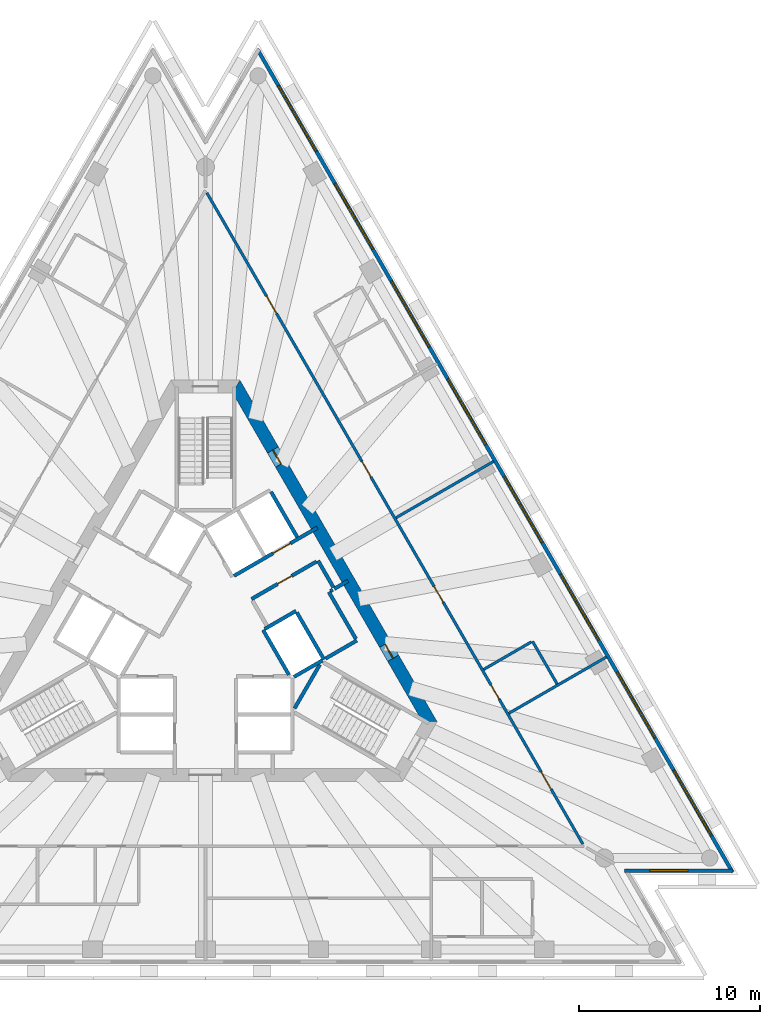
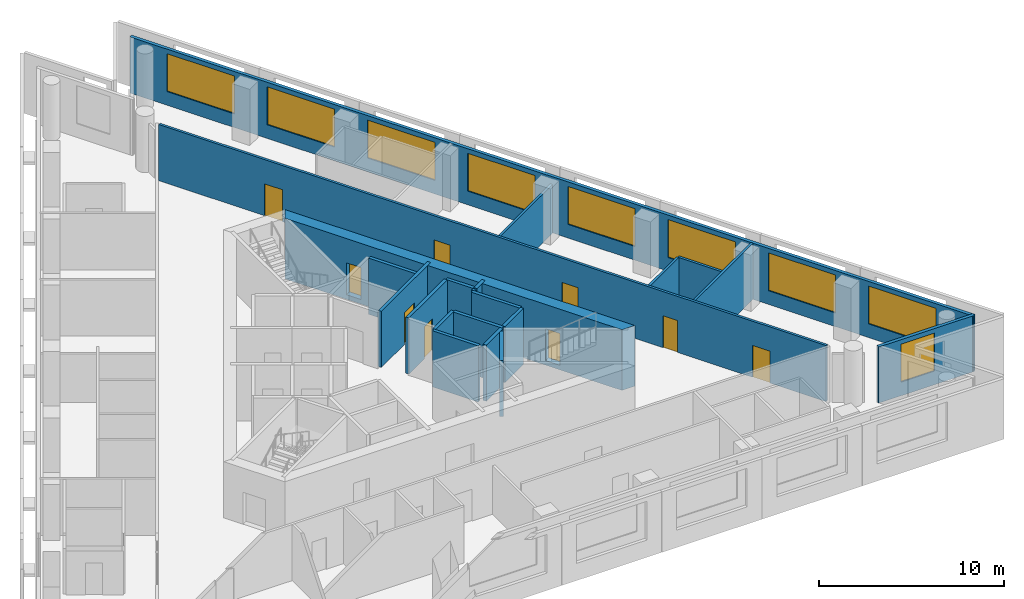
# One storey, part 6 of 10: 21 walls, 9 doors, 9 windows, 18 openings.
"""IFC4 building model written with IfcOpenShell, lengths in metres."""

from ifc_helpers import new_model, si_unit, direction, frame, frame_2d, origin, place, context, subcontext, project, spatial, polyline, rectangle, outline, extrude, material, layer, layer_set, layer_usage, type_object, element, fill, save


model = new_model("IFC4")

# Units and contexts
model_context = context("Model", 3, precision=1e-05, world=origin(), true_north=direction((0.0, 1.0)))
body_context = subcontext(model_context, "Body", "Model", "MODEL_VIEW")
ifc_project = project(units=[si_unit("LENGTHUNIT", "METRE"), si_unit("AREAUNIT", "SQUARE_METRE"), si_unit("VOLUMEUNIT", "CUBIC_METRE"), si_unit("PLANEANGLEUNIT", "RADIAN"), si_unit("MASSUNIT", "GRAM", prefix="KILO")], contexts=[model_context])

# Site, building, storey
site_placement = place(None, origin())
site = spatial("IfcSite", under=ifc_project, at=site_placement, CompositionType="ELEMENT")
building_placement = place(site_placement, origin())
building = spatial("IfcBuilding", under=site, at=building_placement, Name="Triada Interchange Tower", CompositionType="ELEMENT")
storey_placement = place(building_placement, frame((0.0, 0.0, 191.300048828125)))
storey = spatial("IfcBuildingStorey", under=building, at=storey_placement, Name="L44", CompositionType="ELEMENT", Elevation=191.300048828125)

# Wall
ifc_material_1 = material(Name="Concrete C30/37", Category="concrete")
ifc_layer_1 = layer(ifc_material_1, 0.199951171875)
ifc_layer_set_1 = layer_set([ifc_layer_1], Name="CORE WALL 200 EI 120")
wall_type_1 = type_object("IfcWallType", Name="CORE WALL 200 EI 120", PredefinedType="SOLIDWALL", material=ifc_layer_set_1)
wall_1_placement = place(storey_placement, frame((3.18994140625, -0.125, 0.0), z_axis=(0.0, 0.0, 1.0), x_axis=(0.499988658015, -0.866031951983, 0.0)))
element("IfcWall", 1, at=wall_1_placement, inside=storey, type_object=wall_type_1, Name="Wall L44 56", PredefinedType="SOLIDWALL", context=body_context, shape_type="SweptSolid", body=[
    extrude(rectangle(XDim=2.85791015625, YDim=0.199951171875, at=frame_2d((1.428955078125, 0.0))), origin(), (0.0, 0.0, 1.0), 3.699951171875),
])

# Wall, opening, door
wall_2_placement = place(storey_placement, frame((1.577880859375, 2.8740234375, 0.0), z_axis=(0.0, 0.0, 1.0), x_axis=(0.866045911672, 0.499964477614, 0.0)))
wall_2 = element("IfcWall", 2, at=wall_2_placement, inside=storey, type_object=wall_type_1, Name="Wall L44 57", PredefinedType="SOLIDWALL", context=body_context, shape_type="SweptSolid", body=[
    extrude(rectangle(XDim=5.32666015625, YDim=0.199951171875, at=frame_2d((2.663330078125, 0.0))), origin(), (0.0, 0.0, 1.0), 3.699951171875),
])
opening_1_placement = place(wall_2_placement, frame((2.49609375, 0.0, 0.0)))
opening_1 = element("IfcOpeningElement", 3, at=opening_1_placement, cuts=wall_2, Name="Opening LD-HR6", PredefinedType="OPENING", context=body_context, shape_type="SweptSolid", body=[
    extrude(rectangle(XDim=1.10009765625, YDim=2.10009765625, at=frame_2d((0.550048828125, 1.050048828125))), frame((0.0, 0.10986328125, 0.0), z_axis=(0.0, -1.0, 0.0), x_axis=(1.0, 0.0, 0.0)), (0.0, 0.0, 1.0), 0.219970703125),
])
ifc_material_2 = material(Name="Steel S235 door leaf", Category="steel")
door_type_1 = type_object("IfcDoorType", Name="LIFT LANDING DOOR 1100 EI 120", OperationType="SLIDING_TO_LEFT", PredefinedType="DOOR", material=ifc_material_2)
door_1_placement = place(opening_1_placement, origin())
door_1 = element("IfcDoor", 4, at=door_1_placement, inside=storey, type_object=door_type_1, Name="HR6 landing door L44", OperationType="SLIDING_TO_LEFT", OverallHeight=2.10009765625, OverallWidth=1.10009765625, PredefinedType="DOOR", context=body_context, shape_type="SweptSolid", body=[
    extrude(rectangle(XDim=1.10009765625, YDim=2.10009765625, at=frame_2d((0.550048828125, 1.050048828125))), frame((0.0, 0.02490234375, 0.0), z_axis=(0.0, -1.0, 0.0), x_axis=(1.0, 0.0, 0.0)), (0.0, 0.0, 1.0), 0.050048828125),
])
fill(opening_1, door_1)

# Walls
wall_3_placement = place(storey_placement, frame((3.278076171875, -0.071044921875, 0.0), z_axis=(0.0, 0.0, 1.0), x_axis=(0.865855657918, 0.500293893279, 0.0)))
element("IfcWall", 5, at=wall_3_placement, inside=storey, type_object=wall_type_1, Name="Wall L44 60", PredefinedType="SOLIDWALL", context=body_context, shape_type="SweptSolid", body=[
    extrude(rectangle(XDim=1.996826171875, YDim=0.199951171875, at=frame_2d((0.99853515625, 0.0))), origin(), (0.0, 0.0, 1.0), 3.699951171875),
])
wall_4_placement = place(storey_placement, frame((7.12890625, 2.153076171875, 0.0), z_axis=(0.0, 0.0, 1.0), x_axis=(0.866083962871, 0.499898558967, 0.0)))
element("IfcWall", 6, at=wall_4_placement, inside=storey, type_object=wall_type_1, Name="Wall L44 61", PredefinedType="SOLIDWALL", context=body_context, shape_type="SweptSolid", body=[
    extrude(rectangle(XDim=0.880126953125, YDim=0.199951171875, at=frame_2d((0.43994140625, 0.0))), origin(), (0.0, 0.0, 1.0), 3.699951171875),
])
wall_5_placement = place(storey_placement, frame((3.6259765625, 7.52001953125, 0.0), z_axis=(0.0, 0.0, 1.0), x_axis=(0.500060147554, -0.865990674793, 0.0)))
element("IfcWall", 7, at=wall_5_placement, inside=storey, type_object=wall_type_1, Name="Wall L44 62", PredefinedType="SOLIDWALL", context=body_context, shape_type="SweptSolid", body=[
    extrude(rectangle(XDim=2.899658203125, YDim=0.199951171875, at=frame_2d((1.44970703125, 0.0))), origin(), (0.0, 0.0, 1.0), 3.699951171875),
])
wall_6_placement = place(storey_placement, frame((5.056884765625, 0.841064453125, 0.0), z_axis=(0.0, 0.0, 1.0), x_axis=(0.499990139034, -0.866031096941, 0.0)))
element("IfcWall", 8, at=wall_6_placement, inside=storey, type_object=wall_type_1, Name="Wall L44 64", PredefinedType="SOLIDWALL", context=body_context, shape_type="SweptSolid", body=[
    extrude(rectangle(XDim=3.0, YDim=0.199951171875, at=frame_2d((1.5, 0.0))), origin(), (0.0, 0.0, 1.0), 3.699951171875),
])
wall_7_placement = place(storey_placement, frame((4.89990234375, -2.714111328125, 0.0), z_axis=(0.0, 0.0, 1.0), x_axis=(0.865846928409, 0.500309001083, 0.0)))
element("IfcWall", 9, at=wall_7_placement, inside=storey, type_object=wall_type_1, Name="Wall L44 65", PredefinedType="SOLIDWALL", context=body_context, shape_type="SweptSolid", body=[
    extrude(rectangle(XDim=1.813232421875, YDim=0.199951171875, at=frame_2d((0.90673828125, 0.0))), origin(), (0.0, 0.0, 1.0), 3.699951171875),
])
wall_8_placement = place(storey_placement, frame((6.22900390625, 3.7119140625, 0.0), z_axis=(0.0, 0.0, 1.0), x_axis=(0.499875724984, -0.86609714211, 0.0)))
element("IfcWall", 10, at=wall_8_placement, inside=storey, type_object=wall_type_1, Name="Wall L44 66", PredefinedType="SOLIDWALL", context=body_context, shape_type="SweptSolid", body=[
    extrude(rectangle(XDim=1.70068359375, YDim=0.199951171875, at=frame_2d((0.850341796875, 0.0))), origin(), (0.0, 0.0, 1.0), 3.699951171875),
])

# Wall, opening, door
wall_9_placement = place(storey_placement, frame((2.548095703125, 1.5869140625, 0.0), z_axis=(0.0, 0.0, 1.0), x_axis=(0.866004344652, 0.500036473714, 0.0)))
wall_9 = element("IfcWall", 11, at=wall_9_placement, inside=storey, type_object=wall_type_1, Name="Wall L44 67", PredefinedType="SOLIDWALL", context=body_context, shape_type="SweptSolid", body=[
    extrude(rectangle(XDim=4.150146484375, YDim=0.199951171875, at=frame_2d((2.0751953125, 0.0))), origin(), (0.0, 0.0, 1.0), 3.699951171875),
])
opening_2_placement = place(wall_9_placement, frame((1.675048828125, 0.0, 0.0)))
opening_2 = element("IfcOpeningElement", 12, at=opening_2_placement, cuts=wall_9, Name="Opening D44-47", PredefinedType="OPENING", context=body_context, shape_type="SweptSolid", body=[
    extrude(rectangle(XDim=0.89990234375, YDim=2.10009765625, at=frame_2d((0.449951171875, 1.050048828125))), frame((0.0, 0.10986328125, 0.0), z_axis=(0.0, -1.0, 0.0), x_axis=(1.0, 0.0, 0.0)), (0.0, 0.0, 1.0), 0.219970703125),
])
door_type_2 = type_object("IfcDoorType", Name="SERVICE DOOR 900 EI2 45-C5S200", OperationType="NOTDEFINED", PredefinedType="DOOR", material=ifc_material_2)
door_2_placement = place(opening_2_placement, origin())
door_2 = element("IfcDoor", 13, at=door_2_placement, inside=storey, type_object=door_type_2, Name="Door D44-47 L44", OperationType="SINGLE_SWING_RIGHT", OverallHeight=2.10009765625, OverallWidth=0.89990234375, PredefinedType="DOOR", context=body_context, shape_type="SweptSolid", body=[
    extrude(rectangle(XDim=0.89990234375, YDim=2.10009765625, at=frame_2d((0.449951171875, 1.050048828125))), frame((0.0, 0.02490234375, 0.0), z_axis=(0.0, -1.0, 0.0), x_axis=(1.0, 0.0, 0.0)), (0.0, 0.0, 1.0), 0.050048828125),
])
fill(opening_2, door_2)

# Walls
ifc_layer_2 = layer(ifc_material_1, 0.199951171875)
ifc_layer_set_2 = layer_set([ifc_layer_2], Name="CORE WALL 200 EI 90")
wall_type_2 = type_object("IfcWallType", Name="CORE WALL 200 EI 90", PredefinedType="SOLIDWALL", material=ifc_layer_set_2)
wall_10_placement = place(storey_placement, frame((6.64208984375, -1.7080078125, 0.0), z_axis=(0.0, 0.0, 1.0), x_axis=(0.866043441391, 0.499968756647, 0.0)))
element("IfcWall", 14, at=wall_10_placement, inside=storey, type_object=wall_type_2, Name="Wall L44 85", PredefinedType="SOLIDWALL", context=body_context, shape_type="SweptSolid", body=[
    extrude(rectangle(XDim=2.002197265625, YDim=0.199951171875, at=frame_2d((1.0009765625, 0.0))), origin(), (0.0, 0.0, 1.0), 3.699951171875),
])
wall_11_placement = place(storey_placement, frame((6.825927734375, 1.97802734375, 0.0), z_axis=(0.0, 0.0, 1.0), x_axis=(0.499990139034, -0.866031096941, 0.0)))
element("IfcWall", 15, at=wall_11_placement, inside=storey, type_object=wall_type_2, Name="Wall L44 86", PredefinedType="SOLIDWALL", context=body_context, shape_type="SweptSolid", body=[
    extrude(rectangle(XDim=3.0, YDim=0.199951171875, at=frame_2d((1.5, 0.0))), origin(), (0.0, 0.0, 1.0), 3.699951171875),
])
wall_12_placement = place(storey_placement, frame((6.912109375, 2.028076171875, 0.0), z_axis=(0.0, 0.0, 1.0), x_axis=(0.866559367082, 0.499074005857, 0.0)))
element("IfcWall", 16, at=wall_12_placement, inside=storey, type_object=wall_type_2, Name="Wall L44 87", PredefinedType="SOLIDWALL", context=body_context, shape_type="SweptSolid", body=[
    extrude(rectangle(XDim=0.152099609375, YDim=0.199951171875, at=frame_2d((0.076171875, 0.0))), origin(), (0.0, 0.0, 1.0), 3.699951171875),
])
ifc_layer_3 = layer(ifc_material_1, 0.199951171875)
ifc_layer_set_3 = layer_set([ifc_layer_3], Name="CORE WALL 200 REI 240")
wall_type_3 = type_object("IfcWallType", Name="CORE WALL 200 REI 240", PredefinedType="SOLIDWALL", material=ifc_layer_set_3)
wall_13_placement = place(storey_placement, frame((4.928955078125, -4.4619140625, 0.0), z_axis=(0.0, 0.0, 1.0), x_axis=(0.500200581029, 0.865909567298, 0.0)))
element("IfcWall", 17, at=wall_13_placement, inside=storey, type_object=wall_type_3, Name="Wall L44 95", PredefinedType="SOLIDWALL", context=body_context, shape_type="SweptSolid", body=[
    extrude(rectangle(XDim=2.799072265625, YDim=0.199951171875, at=frame_2d((1.3994140625, 0.0))), origin(), (0.0, 0.0, 1.0), 3.699951171875),
])

# Wall, openings, doors
ifc_material_3 = material(Name="Concrete C50/60", Category="concrete")
ifc_layer_4 = layer(ifc_material_3, 0.699951171875)
ifc_layer_set_4 = layer_set([ifc_layer_4], Name="Core wall C 700")
wall_type_4 = type_object("IfcWallType", Name="Core wall C 700", PredefinedType="SHEAR", material=ifc_layer_set_4)
wall_14_placement = place(storey_placement, frame((12.4130859375, -5.199951171875, -0.300048828125), z_axis=(0.0, 0.0, 1.0), x_axis=(-0.500011533395, 0.866018744874, 0.0)))
wall_14 = element("IfcWall", 18, at=wall_14_placement, inside=storey, type_object=wall_type_4, Name="Core wall WC06 L44", PredefinedType="SHEAR", context=body_context, shape_type="SweptSolid", body=[
    extrude(outline(polyline([(-0.201904296875, -0.35009765625), (1.781982421875, -0.35009765625), (3.76611328125, -0.35009765625), (5.75, -0.35009765625), (7.734130859375, -0.35009765625), (9.718017578125, -0.35009765625), (11.7021484375, -0.35009765625), (13.68603515625, -0.35009765625), (15.670166015625, -0.35009765625), (17.654052734375, -0.35009765625), (19.63818359375, -0.35009765625), (21.6220703125, -0.35009765625), (21.218017578125, 0.35009765625), (19.307373046875, 0.35009765625), (17.39697265625, 0.35009765625), (15.486328125, 0.35009765625), (13.57568359375, 0.35009765625), (11.665283203125, 0.35009765625), (9.754638671875, 0.35009765625), (7.84423828125, 0.35009765625), (5.93359375, 0.35009765625), (4.02294921875, 0.35009765625), (2.112548828125, 0.35009765625), (0.201904296875, 0.35009765625), (-0.201904296875, -0.35009765625)])), origin(), (0.0, 0.0, 1.0), 4.0),
])
opening_3_placement = place(wall_14_placement, frame((4.054931640625, 0.0, 0.300048828125)))
opening_3 = element("IfcOpeningElement", 19, at=opening_3_placement, cuts=wall_14, Name="Opening D44-45", PredefinedType="OPENING", context=body_context, shape_type="SweptSolid", body=[
    extrude(rectangle(XDim=0.89990234375, YDim=2.10009765625, at=frame_2d((0.449951171875, 1.050048828125))), frame((0.0, 0.360107421875, 0.0), z_axis=(0.0, -1.0, 0.0), x_axis=(1.0, 0.0, 0.0)), (0.0, 0.0, 1.0), 0.72021484375),
])
opening_4_placement = place(wall_14_placement, frame((16.465087890625, 0.0, 0.300048828125)))
opening_4 = element("IfcOpeningElement", 20, at=opening_4_placement, cuts=wall_14, Name="Opening D44-46", PredefinedType="OPENING", context=body_context, shape_type="SweptSolid", body=[
    extrude(rectangle(XDim=0.89990234375, YDim=2.10009765625, at=frame_2d((0.449951171875, 1.050048828125))), frame((0.0, 0.360107421875, 0.0), z_axis=(0.0, -1.0, 0.0), x_axis=(1.0, 0.0, 0.0)), (0.0, 0.0, 1.0), 0.72021484375),
])
door_type_3 = type_object("IfcDoorType", Name="RISER ACCESS DOOR 900 EI2 45-C5S200", OperationType="NOTDEFINED", PredefinedType="DOOR", material=ifc_material_2)
door_3_placement = place(opening_4_placement, origin())
door_3 = element("IfcDoor", 21, at=door_3_placement, inside=storey, type_object=door_type_3, Name="Door D44-46 L44", OperationType="SINGLE_SWING_RIGHT", OverallHeight=2.10009765625, OverallWidth=0.89990234375, PredefinedType="DOOR", context=body_context, shape_type="SweptSolid", body=[
    extrude(rectangle(XDim=0.89990234375, YDim=2.10009765625, at=frame_2d((0.449951171875, 1.050048828125))), frame((0.0, 0.02490234375, 0.0), z_axis=(0.0, -1.0, 0.0), x_axis=(1.0, 0.0, 0.0)), (0.0, 0.0, 1.0), 0.050048828125),
])
fill(opening_4, door_3)
door_4_placement = place(opening_3_placement, origin())
door_4 = element("IfcDoor", 22, at=door_4_placement, inside=storey, type_object=door_type_2, Name="Door D44-45 L44", OperationType="SINGLE_SWING_RIGHT", OverallHeight=2.10009765625, OverallWidth=0.89990234375, PredefinedType="DOOR", context=body_context, shape_type="SweptSolid", body=[
    extrude(rectangle(XDim=0.89990234375, YDim=2.10009765625, at=frame_2d((0.449951171875, 1.050048828125))), frame((0.0, 0.02490234375, 0.0), z_axis=(0.0, -1.0, 0.0), x_axis=(1.0, 0.0, 0.0)), (0.0, 0.0, 1.0), 0.050048828125),
])
fill(opening_3, door_4)

# Wall, opening, window
ifc_material_4 = material(Name="Cement board")
ifc_layer_5 = layer(ifc_material_4, 0.02001953125, Name="Cement board cladding")
ifc_material_5 = material(Name="Sheathing board")
ifc_layer_6 = layer(ifc_material_5, 0.014892578125, Name="Sheathing board")
ifc_material_6 = material(Name="Mineral wool")
ifc_layer_7 = layer(ifc_material_6, 0.14990234375, Name="Mineral wool between steel studs")
ifc_material_7 = material(Name="Gypsum board")
ifc_layer_8 = layer(ifc_material_7, 0.014892578125, Name="Plasterboard lining")
ifc_layer_set_5 = layer_set([ifc_layer_5, ifc_layer_6, ifc_layer_7, ifc_layer_8], Name="External wall 200")
ifc_layer_usage = layer_usage(ifc_layer_set_5, "AXIS2", "POSITIVE", -0.10009765625)
wall_type_5 = type_object("IfcWallType", Name="External wall 200", PredefinedType="ELEMENTEDWALL", material=ifc_layer_set_5)
wall_15_placement = place(storey_placement, frame((23.201904296875, -13.447021484375, 0.0), z_axis=(0.0, 0.0, 1.0), x_axis=(1.0, 0.0, 0.0)))
wall_15 = element("IfcWall", 23, at=wall_15_placement, inside=storey, type_object=wall_type_5, material=ifc_layer_usage, Name="External wall L44 SE-2", PredefinedType="ELEMENTEDWALL", context=body_context, shape_type="SweptSolid", body=[
    extrude(rectangle(XDim=5.988037109375, YDim=0.199951171875, at=frame_2d((2.994140625, 0.0))), origin(), (0.0, 0.0, 1.0), 3.699951171875),
])
opening_5_placement = place(wall_15_placement, frame((1.389892578125, 0.0, 0.89990234375)))
opening_5 = element("IfcOpeningElement", 24, at=opening_5_placement, cuts=wall_15, Name="Opening WC20", PredefinedType="OPENING", context=body_context, shape_type="SweptSolid", body=[
    extrude(rectangle(XDim=2.10009765625, YDim=2.5, at=frame_2d((1.050048828125, 1.25))), frame((0.0, 0.10986328125, 0.0), z_axis=(0.0, -1.0, 0.0), x_axis=(1.0, 0.0, 0.0)), (0.0, 0.0, 1.0), 0.219970703125),
])
ifc_material_8 = material(Name="Double glazed aluminium window", Category="aluminium")
window_type_1 = type_object("IfcWindowType", Name="Ribbon window C pocket", PartitioningType="SINGLE_PANEL", PredefinedType="WINDOW", material=ifc_material_8)
window_1_placement = place(opening_5_placement, origin())
window_1 = element("IfcWindow", 25, at=window_1_placement, inside=storey, type_object=window_type_1, Name="Window L44 SE-2 1", OverallHeight=2.5, OverallWidth=2.10009765625, PartitioningType="SINGLE_PANEL", PredefinedType="WINDOW", context=body_context, shape_type="SweptSolid", body=[
    extrude(rectangle(XDim=2.10009765625, YDim=2.5, at=frame_2d((1.050048828125, 1.25))), frame((0.0, 0.030029296875, 0.0), z_axis=(0.0, -1.0, 0.0), x_axis=(1.0, 0.0, 0.0)), (0.0, 0.0, 1.0), 0.06005859375),
])
fill(opening_5, window_1)

# Wall, openings, windows
wall_16_placement = place(storey_placement, frame((29.1650390625, -13.52490234375, 0.0), z_axis=(0.0, 0.0, 1.0), x_axis=(-0.500008941164, 0.86602024154, 0.0)))
wall_16 = element("IfcWall", 26, at=wall_16_placement, inside=storey, type_object=wall_type_5, material=ifc_layer_usage, Name="External wall L44 NE", PredefinedType="ELEMENTEDWALL", context=body_context, shape_type="SweptSolid", body=[
    extrude(rectangle(XDim=52.5712890625, YDim=0.199951171875, at=frame_2d((26.28564453125, 0.0))), origin(), (0.0, 0.0, 1.0), 3.699951171875),
])
opening_6_placement = place(wall_16_placement, frame((2.326904296875, 0.0, 0.89990234375)))
opening_6 = element("IfcOpeningElement", 27, at=opening_6_placement, cuts=wall_16, Name="Opening WC21", PredefinedType="OPENING", context=body_context, shape_type="SweptSolid", body=[
    extrude(rectangle(XDim=4.199951171875, YDim=2.5, at=frame_2d((2.10009765625, 1.25))), frame((0.0, 0.10986328125, 0.0), z_axis=(0.0, -1.0, 0.0), x_axis=(1.0, 0.0, 0.0)), (0.0, 0.0, 1.0), 0.219970703125),
])
opening_7_placement = place(wall_16_placement, frame((8.574951171875, 0.0, 0.89990234375)))
opening_7 = element("IfcOpeningElement", 28, at=opening_7_placement, cuts=wall_16, Name="Opening WC22", PredefinedType="OPENING", context=body_context, shape_type="SweptSolid", body=[
    extrude(rectangle(XDim=4.199951171875, YDim=2.5, at=frame_2d((2.10009765625, 1.25))), frame((0.0, 0.10986328125, 0.0), z_axis=(0.0, -1.0, 0.0), x_axis=(1.0, 0.0, 0.0)), (0.0, 0.0, 1.0), 0.219970703125),
])
opening_8_placement = place(wall_16_placement, frame((14.822998046875, 0.0, 0.89990234375)))
opening_8 = element("IfcOpeningElement", 29, at=opening_8_placement, cuts=wall_16, Name="Opening WC23", PredefinedType="OPENING", context=body_context, shape_type="SweptSolid", body=[
    extrude(rectangle(XDim=4.199951171875, YDim=2.5, at=frame_2d((2.10009765625, 1.25))), frame((0.0, 0.10986328125, 0.0), z_axis=(0.0, -1.0, 0.0), x_axis=(1.0, 0.0, 0.0)), (0.0, 0.0, 1.0), 0.219970703125),
])
opening_9_placement = place(wall_16_placement, frame((21.072021484375, 0.0, 0.89990234375)))
opening_9 = element("IfcOpeningElement", 30, at=opening_9_placement, cuts=wall_16, Name="Opening WC24", PredefinedType="OPENING", context=body_context, shape_type="SweptSolid", body=[
    extrude(rectangle(XDim=4.199951171875, YDim=2.5, at=frame_2d((2.10009765625, 1.25))), frame((0.0, 0.10986328125, 0.0), z_axis=(0.0, -1.0, 0.0), x_axis=(1.0, 0.0, 0.0)), (0.0, 0.0, 1.0), 0.219970703125),
])
opening_10_placement = place(wall_16_placement, frame((27.320068359375, 0.0, 0.89990234375)))
opening_10 = element("IfcOpeningElement", 31, at=opening_10_placement, cuts=wall_16, Name="Opening WC25", PredefinedType="OPENING", context=body_context, shape_type="SweptSolid", body=[
    extrude(rectangle(XDim=4.199951171875, YDim=2.5, at=frame_2d((2.10009765625, 1.25))), frame((0.0, 0.10986328125, 0.0), z_axis=(0.0, -1.0, 0.0), x_axis=(1.0, 0.0, 0.0)), (0.0, 0.0, 1.0), 0.219970703125),
])
opening_11_placement = place(wall_16_placement, frame((33.568115234375, 0.0, 0.89990234375)))
opening_11 = element("IfcOpeningElement", 32, at=opening_11_placement, cuts=wall_16, Name="Opening WC26", PredefinedType="OPENING", context=body_context, shape_type="SweptSolid", body=[
    extrude(rectangle(XDim=4.199951171875, YDim=2.5, at=frame_2d((2.10009765625, 1.25))), frame((0.0, 0.10986328125, 0.0), z_axis=(0.0, -1.0, 0.0), x_axis=(1.0, 0.0, 0.0)), (0.0, 0.0, 1.0), 0.219970703125),
])
opening_12_placement = place(wall_16_placement, frame((39.81591796875, 0.0, 0.89990234375)))
opening_12 = element("IfcOpeningElement", 33, at=opening_12_placement, cuts=wall_16, Name="Opening WC27", PredefinedType="OPENING", context=body_context, shape_type="SweptSolid", body=[
    extrude(rectangle(XDim=4.199951171875, YDim=2.5, at=frame_2d((2.10009765625, 1.25))), frame((0.0, 0.10986328125, 0.0), z_axis=(0.0, -1.0, 0.0), x_axis=(1.0, 0.0, 0.0)), (0.0, 0.0, 1.0), 0.219970703125),
])
opening_13_placement = place(wall_16_placement, frame((46.06396484375, 0.0, 0.89990234375)))
opening_13 = element("IfcOpeningElement", 34, at=opening_13_placement, cuts=wall_16, Name="Opening WC28", PredefinedType="OPENING", context=body_context, shape_type="SweptSolid", body=[
    extrude(rectangle(XDim=4.199951171875, YDim=2.5, at=frame_2d((2.10009765625, 1.25))), frame((0.0, 0.10986328125, 0.0), z_axis=(0.0, -1.0, 0.0), x_axis=(1.0, 0.0, 0.0)), (0.0, 0.0, 1.0), 0.219970703125),
])
window_type_2 = type_object("IfcWindowType", Name="Ribbon window C face", PartitioningType="SINGLE_PANEL", PredefinedType="WINDOW", material=ifc_material_8)
window_2_placement = place(opening_6_placement, origin())
window_2 = element("IfcWindow", 35, at=window_2_placement, inside=storey, type_object=window_type_2, Name="Window L44 NE 1", OverallHeight=2.5, OverallWidth=4.199951171875, PartitioningType="SINGLE_PANEL", PredefinedType="WINDOW", context=body_context, shape_type="SweptSolid", body=[
    extrude(rectangle(XDim=4.199951171875, YDim=2.5, at=frame_2d((2.10009765625, 1.25))), frame((0.0, 0.030029296875, 0.0), z_axis=(0.0, -1.0, 0.0), x_axis=(1.0, 0.0, 0.0)), (0.0, 0.0, 1.0), 0.06005859375),
])
fill(opening_6, window_2)
window_3_placement = place(opening_7_placement, origin())
window_3 = element("IfcWindow", 36, at=window_3_placement, inside=storey, type_object=window_type_2, Name="Window L44 NE 2", OverallHeight=2.5, OverallWidth=4.199951171875, PartitioningType="SINGLE_PANEL", PredefinedType="WINDOW", context=body_context, shape_type="SweptSolid", body=[
    extrude(rectangle(XDim=4.199951171875, YDim=2.5, at=frame_2d((2.10009765625, 1.25))), frame((0.0, 0.030029296875, 0.0), z_axis=(0.0, -1.0, 0.0), x_axis=(1.0, 0.0, 0.0)), (0.0, 0.0, 1.0), 0.06005859375),
])
fill(opening_7, window_3)
window_4_placement = place(opening_8_placement, origin())
window_4 = element("IfcWindow", 37, at=window_4_placement, inside=storey, type_object=window_type_2, Name="Window L44 NE 3", OverallHeight=2.5, OverallWidth=4.199951171875, PartitioningType="SINGLE_PANEL", PredefinedType="WINDOW", context=body_context, shape_type="SweptSolid", body=[
    extrude(rectangle(XDim=4.199951171875, YDim=2.5, at=frame_2d((2.10009765625, 1.25))), frame((0.0, 0.030029296875, 0.0), z_axis=(0.0, -1.0, 0.0), x_axis=(1.0, 0.0, 0.0)), (0.0, 0.0, 1.0), 0.06005859375),
])
fill(opening_8, window_4)
window_5_placement = place(opening_9_placement, origin())
window_5 = element("IfcWindow", 38, at=window_5_placement, inside=storey, type_object=window_type_2, Name="Window L44 NE 4", OverallHeight=2.5, OverallWidth=4.199951171875, PartitioningType="SINGLE_PANEL", PredefinedType="WINDOW", context=body_context, shape_type="SweptSolid", body=[
    extrude(rectangle(XDim=4.199951171875, YDim=2.5, at=frame_2d((2.10009765625, 1.25))), frame((0.0, 0.030029296875, 0.0), z_axis=(0.0, -1.0, 0.0), x_axis=(1.0, 0.0, 0.0)), (0.0, 0.0, 1.0), 0.06005859375),
])
fill(opening_9, window_5)
window_6_placement = place(opening_10_placement, origin())
window_6 = element("IfcWindow", 39, at=window_6_placement, inside=storey, type_object=window_type_2, Name="Window L44 NE 5", OverallHeight=2.5, OverallWidth=4.199951171875, PartitioningType="SINGLE_PANEL", PredefinedType="WINDOW", context=body_context, shape_type="SweptSolid", body=[
    extrude(rectangle(XDim=4.199951171875, YDim=2.5, at=frame_2d((2.10009765625, 1.25))), frame((0.0, 0.030029296875, 0.0), z_axis=(0.0, -1.0, 0.0), x_axis=(1.0, 0.0, 0.0)), (0.0, 0.0, 1.0), 0.06005859375),
])
fill(opening_10, window_6)
window_7_placement = place(opening_11_placement, origin())
window_7 = element("IfcWindow", 40, at=window_7_placement, inside=storey, type_object=window_type_2, Name="Window L44 NE 6", OverallHeight=2.5, OverallWidth=4.199951171875, PartitioningType="SINGLE_PANEL", PredefinedType="WINDOW", context=body_context, shape_type="SweptSolid", body=[
    extrude(rectangle(XDim=4.199951171875, YDim=2.5, at=frame_2d((2.10009765625, 1.25))), frame((0.0, 0.030029296875, 0.0), z_axis=(0.0, -1.0, 0.0), x_axis=(1.0, 0.0, 0.0)), (0.0, 0.0, 1.0), 0.06005859375),
])
fill(opening_11, window_7)
window_8_placement = place(opening_12_placement, origin())
window_8 = element("IfcWindow", 41, at=window_8_placement, inside=storey, type_object=window_type_2, Name="Window L44 NE 7", OverallHeight=2.5, OverallWidth=4.199951171875, PartitioningType="SINGLE_PANEL", PredefinedType="WINDOW", context=body_context, shape_type="SweptSolid", body=[
    extrude(rectangle(XDim=4.199951171875, YDim=2.5, at=frame_2d((2.10009765625, 1.25))), frame((0.0, 0.030029296875, 0.0), z_axis=(0.0, -1.0, 0.0), x_axis=(1.0, 0.0, 0.0)), (0.0, 0.0, 1.0), 0.06005859375),
])
fill(opening_12, window_8)
window_9_placement = place(opening_13_placement, origin())
window_9 = element("IfcWindow", 42, at=window_9_placement, inside=storey, type_object=window_type_2, Name="Window L44 NE 8", OverallHeight=2.5, OverallWidth=4.199951171875, PartitioningType="SINGLE_PANEL", PredefinedType="WINDOW", context=body_context, shape_type="SweptSolid", body=[
    extrude(rectangle(XDim=4.199951171875, YDim=2.5, at=frame_2d((2.10009765625, 1.25))), frame((0.0, 0.030029296875, 0.0), z_axis=(0.0, -1.0, 0.0), x_axis=(1.0, 0.0, 0.0)), (0.0, 0.0, 1.0), 0.06005859375),
])
fill(opening_13, window_9)

# Wall
ifc_material_9 = material(Name="Gypsum board partition")
ifc_layer_9 = layer(ifc_material_9, 0.14990234375)
ifc_layer_set_6 = layer_set([ifc_layer_9], Name="PARTITION 150 EI 180")
wall_type_6 = type_object("IfcWallType", Name="PARTITION 150 EI 180", PredefinedType="PARTITIONING", material=ifc_layer_set_6)
wall_17_placement = place(storey_placement, frame((10.5439453125, 6.0869140625, 0.0), z_axis=(0.0, 0.0, 1.0), x_axis=(0.86601944389, 0.500010322698, 0.0)))
element("IfcWall", 43, at=wall_17_placement, inside=storey, type_object=wall_type_6, Name="Wall L44 2", PredefinedType="PARTITIONING", context=body_context, shape_type="SweptSolid", body=[
    extrude(rectangle(XDim=6.239990234375, YDim=0.14990234375, at=frame_2d((3.1201171875, 0.0))), origin(), (0.0, 0.0, 1.0), 3.199951171875),
])

# Wall, openings, doors
wall_18_placement = place(storey_placement, frame((0.074951171875, 24.070068359375, 0.0), z_axis=(0.0, 0.0, 1.0), x_axis=(0.49999939571, -0.866025752671, 0.0)))
wall_18 = element("IfcWall", 44, at=wall_18_placement, inside=storey, type_object=wall_type_6, Name="Wall L44 21", PredefinedType="PARTITIONING", context=body_context, shape_type="SweptSolid", body=[
    extrude(rectangle(XDim=41.6142578125, YDim=0.14990234375, at=frame_2d((20.80712890625, 0.0))), origin(), (0.0, 0.0, 1.0), 3.699951171875),
])
opening_14_placement = place(wall_18_placement, frame((37.014892578125, 0.0, 0.0)))
opening_14 = element("IfcOpeningElement", 45, at=opening_14_placement, cuts=wall_18, Name="Opening D44-21", PredefinedType="OPENING", context=body_context, shape_type="SweptSolid", body=[
    extrude(rectangle(XDim=1.10009765625, YDim=2.10009765625, at=frame_2d((0.550048828125, 1.050048828125))), frame((0.0, 0.0849609375, 0.0), z_axis=(0.0, -1.0, 0.0), x_axis=(1.0, 0.0, 0.0)), (0.0, 0.0, 1.0), 0.169921875),
])
opening_15_placement = place(wall_18_placement, frame((25.154052734375, 0.0, 0.0)))
opening_15 = element("IfcOpeningElement", 46, at=opening_15_placement, cuts=wall_18, Name="Opening D44-22", PredefinedType="OPENING", context=body_context, shape_type="SweptSolid", body=[
    extrude(rectangle(XDim=1.0, YDim=2.10009765625, at=frame_2d((0.5, 1.050048828125))), frame((0.0, 0.0849609375, 0.0), z_axis=(0.0, -1.0, 0.0), x_axis=(1.0, 0.0, 0.0)), (0.0, 0.0, 1.0), 0.169921875),
])
opening_16_placement = place(wall_18_placement, frame((31.4541015625, 0.0, 0.0)))
opening_16 = element("IfcOpeningElement", 47, at=opening_16_placement, cuts=wall_18, Name="Opening D44-23", PredefinedType="OPENING", context=body_context, shape_type="SweptSolid", body=[
    extrude(rectangle(XDim=0.89990234375, YDim=2.10009765625, at=frame_2d((0.449951171875, 1.050048828125))), frame((0.0, 0.0849609375, 0.0), z_axis=(0.0, -1.0, 0.0), x_axis=(1.0, 0.0, 0.0)), (0.0, 0.0, 1.0), 0.169921875),
])
opening_17_placement = place(wall_18_placement, frame((17.156982421875, 0.0, 0.0)))
opening_17 = element("IfcOpeningElement", 48, at=opening_17_placement, cuts=wall_18, Name="Opening D44-24", PredefinedType="OPENING", context=body_context, shape_type="SweptSolid", body=[
    extrude(rectangle(XDim=1.0, YDim=2.10009765625, at=frame_2d((0.5, 1.050048828125))), frame((0.0, 0.0849609375, 0.0), z_axis=(0.0, -1.0, 0.0), x_axis=(1.0, 0.0, 0.0)), (0.0, 0.0, 1.0), 0.169921875),
])
opening_18_placement = place(wall_18_placement, frame((6.60888671875, 0.0, 0.0)))
opening_18 = element("IfcOpeningElement", 49, at=opening_18_placement, cuts=wall_18, Name="Opening D44-25", PredefinedType="OPENING", context=body_context, shape_type="SweptSolid", body=[
    extrude(rectangle(XDim=1.10009765625, YDim=2.10009765625, at=frame_2d((0.550048828125, 1.050048828125))), frame((0.0, 0.0849609375, 0.0), z_axis=(0.0, -1.0, 0.0), x_axis=(1.0, 0.0, 0.0)), (0.0, 0.0, 1.0), 0.169921875),
])
door_type_4 = type_object("IfcDoorType", Name="ROOM DOOR 1000 EI2 90-C5S200", OperationType="NOTDEFINED", PredefinedType="DOOR", material=ifc_material_2)
door_5_placement = place(opening_15_placement, origin())
door_5 = element("IfcDoor", 50, at=door_5_placement, inside=storey, type_object=door_type_4, Name="Door D44-22 L44", OperationType="SINGLE_SWING_RIGHT", OverallHeight=2.10009765625, OverallWidth=1.0, PredefinedType="DOOR", context=body_context, shape_type="SweptSolid", body=[
    extrude(rectangle(XDim=1.0, YDim=2.10009765625, at=frame_2d((0.5, 1.050048828125))), frame((0.0, 0.02490234375, 0.0), z_axis=(0.0, -1.0, 0.0), x_axis=(1.0, 0.0, 0.0)), (0.0, 0.0, 1.0), 0.050048828125),
])
fill(opening_15, door_5)
door_6_placement = place(opening_17_placement, origin())
door_6 = element("IfcDoor", 51, at=door_6_placement, inside=storey, type_object=door_type_4, Name="Door D44-24 L44", OperationType="SINGLE_SWING_RIGHT", OverallHeight=2.10009765625, OverallWidth=1.0, PredefinedType="DOOR", context=body_context, shape_type="SweptSolid", body=[
    extrude(rectangle(XDim=1.0, YDim=2.10009765625, at=frame_2d((0.5, 1.050048828125))), frame((0.0, 0.02490234375, 0.0), z_axis=(0.0, -1.0, 0.0), x_axis=(1.0, 0.0, 0.0)), (0.0, 0.0, 1.0), 0.050048828125),
])
fill(opening_17, door_6)
door_type_5 = type_object("IfcDoorType", Name="ROOM DOOR 900 EI2 90-C5S200", OperationType="NOTDEFINED", PredefinedType="DOOR", material=ifc_material_2)
door_7_placement = place(opening_16_placement, origin())
door_7 = element("IfcDoor", 52, at=door_7_placement, inside=storey, type_object=door_type_5, Name="Door D44-23 L44", OperationType="SINGLE_SWING_RIGHT", OverallHeight=2.10009765625, OverallWidth=0.89990234375, PredefinedType="DOOR", context=body_context, shape_type="SweptSolid", body=[
    extrude(rectangle(XDim=0.89990234375, YDim=2.10009765625, at=frame_2d((0.449951171875, 1.050048828125))), frame((0.0, 0.02490234375, 0.0), z_axis=(0.0, -1.0, 0.0), x_axis=(1.0, 0.0, 0.0)), (0.0, 0.0, 1.0), 0.050048828125),
])
fill(opening_16, door_7)
door_type_6 = type_object("IfcDoorType", Name="TENANCY ENTRANCE DOOR 1100 EI2 90-C5S200", OperationType="NOTDEFINED", PredefinedType="DOOR", material=ifc_material_2)
door_8_placement = place(opening_14_placement, origin())
door_8 = element("IfcDoor", 53, at=door_8_placement, inside=storey, type_object=door_type_6, Name="Door D44-21 L44", OperationType="SINGLE_SWING_RIGHT", OverallHeight=2.10009765625, OverallWidth=1.10009765625, PredefinedType="DOOR", context=body_context, shape_type="SweptSolid", body=[
    extrude(rectangle(XDim=1.10009765625, YDim=2.10009765625, at=frame_2d((0.550048828125, 1.050048828125))), frame((0.0, 0.02490234375, 0.0), z_axis=(0.0, -1.0, 0.0), x_axis=(1.0, 0.0, 0.0)), (0.0, 0.0, 1.0), 0.050048828125),
])
fill(opening_14, door_8)
door_9_placement = place(opening_18_placement, origin())
door_9 = element("IfcDoor", 54, at=door_9_placement, inside=storey, type_object=door_type_6, Name="Door D44-25 L44", OperationType="SINGLE_SWING_LEFT", OverallHeight=2.10009765625, OverallWidth=1.10009765625, PredefinedType="DOOR", context=body_context, shape_type="SweptSolid", body=[
    extrude(rectangle(XDim=1.10009765625, YDim=2.10009765625, at=frame_2d((0.550048828125, 1.050048828125))), frame((0.0, 0.02490234375, 0.0), z_axis=(0.0, -1.0, 0.0), x_axis=(1.0, 0.0, 0.0)), (0.0, 0.0, 1.0), 0.050048828125),
])
fill(opening_18, door_9)

# Walls
wall_19_placement = place(storey_placement, frame((18.095947265625, -0.7490234375, 0.0), z_axis=(0.0, 0.0, 1.0), x_axis=(0.500156697144, -0.865934915743, 0.0)))
element("IfcWall", 55, at=wall_19_placement, inside=storey, type_object=wall_type_6, Name="Wall L44 24", PredefinedType="PARTITIONING", context=body_context, shape_type="SweptSolid", body=[
    extrude(rectangle(XDim=2.725341796875, YDim=0.14990234375, at=frame_2d((1.36279296875, 0.0))), origin(), (0.0, 0.0, 1.0), 3.699951171875),
])
wall_20_placement = place(storey_placement, frame((15.39208984375, -2.31005859375, 0.0), z_axis=(0.0, 0.0, 1.0), x_axis=(0.865941409278, 0.50014545454, 0.0)))
element("IfcWall", 56, at=wall_20_placement, inside=storey, type_object=wall_type_6, Name="Wall L44 25", PredefinedType="PARTITIONING", context=body_context, shape_type="SweptSolid", body=[
    extrude(rectangle(XDim=3.04736328125, YDim=0.14990234375, at=frame_2d((1.523681640625, 0.0))), origin(), (0.0, 0.0, 1.0), 3.699951171875),
])
wall_21_placement = place(storey_placement, frame((16.7919921875, -4.735107421875, 0.0), z_axis=(0.0, 0.0, 1.0), x_axis=(0.86601944389, 0.500010322698, 0.0)))
element("IfcWall", 57, at=wall_21_placement, inside=storey, type_object=wall_type_6, Name="Wall L44 26", PredefinedType="PARTITIONING", context=body_context, shape_type="SweptSolid", body=[
    extrude(rectangle(XDim=6.239990234375, YDim=0.14990234375, at=frame_2d((3.1201171875, 0.0))), origin(), (0.0, 0.0, 1.0), 3.699951171875),
])

save(model, "model.ifc")
